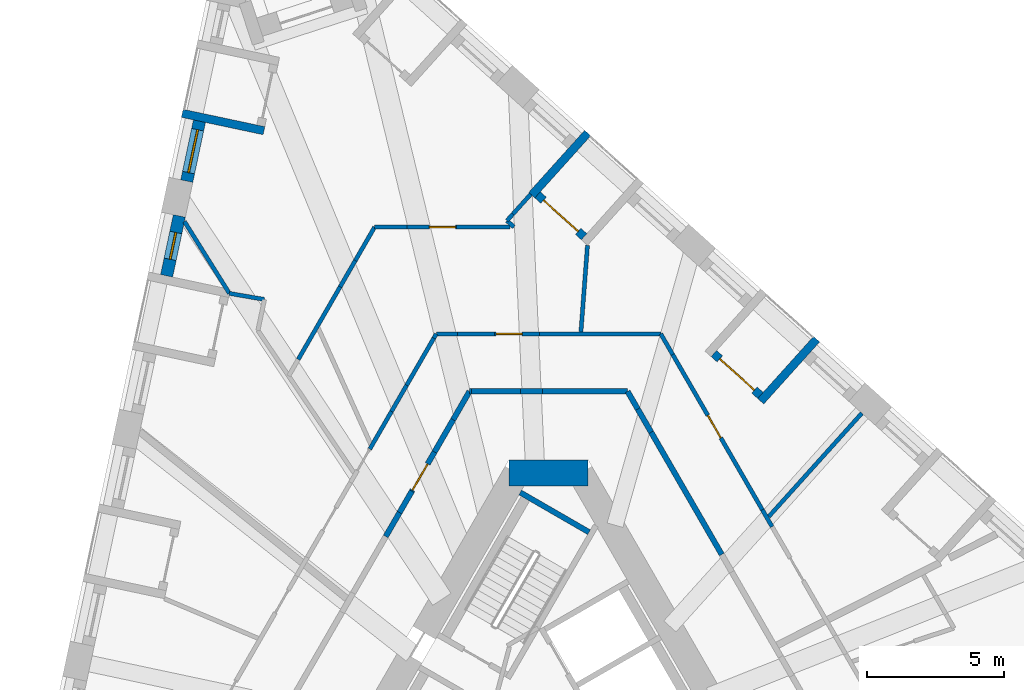
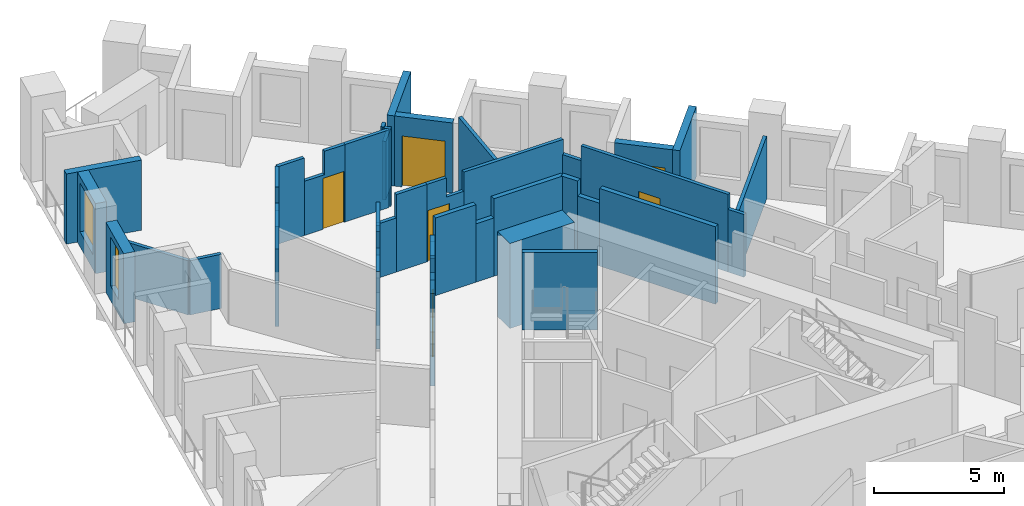
# One storey, part 8 of 13: 45 walls, 6 doors, 2 windows, 8 openings.
"""IFC4 building model written with IfcOpenShell, lengths in metres."""

from ifc_helpers import new_model, si_unit, direction, frame, frame_2d, origin, place, context, subcontext, project, spatial, polyline, rectangle, outline, extrude, material, layer, layer_set, type_object, element, fill, save


model = new_model("IFC4")

# Units and contexts
model_context = context("Model", 3, precision=1e-05, world=origin(), true_north=direction((0.0, 1.0)))
body_context = subcontext(model_context, "Body", "Model", "MODEL_VIEW")
ifc_project = project(units=[si_unit("LENGTHUNIT", "METRE"), si_unit("AREAUNIT", "SQUARE_METRE"), si_unit("VOLUMEUNIT", "CUBIC_METRE"), si_unit("PLANEANGLEUNIT", "RADIAN"), si_unit("MASSUNIT", "GRAM", prefix="KILO")], contexts=[model_context])

# Site, building, storey
site_placement = place(None, origin())
site = spatial("IfcSite", under=ifc_project, at=site_placement, CompositionType="ELEMENT")
building_placement = place(site_placement, origin())
building = spatial("IfcBuilding", under=site, at=building_placement, Name="Tramontana Tower", CompositionType="ELEMENT")
storey_placement = place(building_placement, frame((0.0, 0.0, 116.39990234375)))
storey = spatial("IfcBuildingStorey", under=building, at=storey_placement, Name="L26", CompositionType="ELEMENT", Elevation=116.39990234375)

# Walls
ifc_material_1 = material(Name="Concrete 70 MPa", Category="concrete")
ifc_layer_1 = layer(ifc_material_1, 0.949951171875)
ifc_layer_set_1 = layer_set([ifc_layer_1], Name="Core wall 950 70 MPa")
wall_type_1 = type_object("IfcWallType", Name="Core wall 950 70 MPa", PredefinedType="SHEAR", material=ifc_layer_set_1)
wall_1_placement = place(storey_placement, frame((1.443359375, 10.52490234375, 0.0), z_axis=(0.0, 0.0, 1.0), x_axis=(-1.0, 0.0, 0.0)))
element("IfcWall", 1, at=wall_1_placement, inside=storey, type_object=wall_type_1, Name="Core wall C0 L26", PredefinedType="SHEAR", context=body_context, shape_type="SweptSolid", body=[
    extrude(rectangle(XDim=2.88671875, YDim=0.949951171875, at=frame_2d((1.443359375, 0.0))), origin(), (0.0, 0.0, 1.0), 4.0),
])
ifc_material_2 = material(Name="Blockwork", Category="masonry")
ifc_layer_2 = layer(ifc_material_2, 0.199951171875)
ifc_layer_set_2 = layer_set([ifc_layer_2], Name="ENTRY WALL 200")
wall_type_2 = type_object("IfcWallType", Name="ENTRY WALL 200", PredefinedType="SOLIDWALL", material=ifc_layer_set_2)
wall_2_placement = place(storey_placement, frame((2.88671875, 13.5, 0.0), z_axis=(0.0, 0.0, 1.0), x_axis=(0.499987686533, -0.866032512851, 0.0)))
element("IfcWall", 2, at=wall_2_placement, inside=storey, type_object=wall_type_2, Name="Wall v22-ew0-0", PredefinedType="SOLIDWALL", context=body_context, shape_type="SweptSolid", body=[
    extrude(rectangle(XDim=0.74365234375, YDim=0.199951171875, at=frame_2d((0.371826171875, 0.0))), origin(), (0.0, 0.0, 1.0), 3.650146484375),
])
wall_3_placement = place(storey_placement, frame((3.258544921875, 12.85595703125, 0.0), z_axis=(0.0, 0.0, 1.0), x_axis=(0.500061185694, -0.865990075325, 0.0)))
element("IfcWall", 3, at=wall_3_placement, inside=storey, type_object=wall_type_2, Name="Wall v22-ew0-1", PredefinedType="SOLIDWALL", context=body_context, shape_type="SweptSolid", body=[
    extrude(rectangle(XDim=0.9775390625, YDim=0.199951171875, at=frame_2d((0.48876953125, 0.0))), origin(), (0.0, 0.0, 1.0), 2.9501953125),
])
wall_4_placement = place(storey_placement, frame((3.747314453125, 12.009521484375, 0.0), z_axis=(0.0, 0.0, 1.0), x_axis=(0.500001317485, -0.866024643133, 0.0)))
element("IfcWall", 4, at=wall_4_placement, inside=storey, type_object=wall_type_2, Name="Wall v22-ew0-2", PredefinedType="SOLIDWALL", context=body_context, shape_type="SweptSolid", body=[
    extrude(rectangle(XDim=5.1533203125, YDim=0.199951171875, at=frame_2d((2.57666015625, 0.0))), origin(), (0.0, 0.0, 1.0), 3.650146484375),
])
wall_5_placement = place(storey_placement, frame((-5.944091796875, 8.20458984375, 0.0), z_axis=(0.0, 0.0, 1.0), x_axis=(0.500051323872, 0.865995769906, 0.0)))
element("IfcWall", 5, at=wall_5_placement, inside=storey, type_object=wall_type_2, Name="Wall v22-ew4-7", PredefinedType="SOLIDWALL", context=body_context, shape_type="SweptSolid", body=[
    extrude(rectangle(XDim=1.0068359375, YDim=0.199951171875, at=frame_2d((0.50341796875, 0.0))), origin(), (0.0, 0.0, 1.0), 2.550048828125),
])
wall_6_placement = place(storey_placement, frame((-5.440673828125, 9.076416015625, 0.0), z_axis=(0.0, 0.0, 1.0), x_axis=(0.499902469156, 0.866081705922, 0.0)))
element("IfcWall", 6, at=wall_6_placement, inside=storey, type_object=wall_type_2, Name="Wall v22-ew4-8", PredefinedType="SOLIDWALL", context=body_context, shape_type="SweptSolid", body=[
    extrude(rectangle(XDim=0.900146484375, YDim=0.199951171875, at=frame_2d((0.4501953125, 0.0))), origin(), (0.0, 0.0, 1.0), 3.650146484375),
])

# Wall, opening, door
wall_7_placement = place(storey_placement, frame((-4.99072265625, 9.85595703125, 0.0), z_axis=(0.0, 0.0, 1.0), x_axis=(0.500088396166, 0.865974362219, 0.0)))
wall_7 = element("IfcWall", 7, at=wall_7_placement, inside=storey, type_object=wall_type_2, Name="Wall v22-ew4-9", PredefinedType="SOLIDWALL", context=body_context, shape_type="SweptSolid", body=[
    extrude(outline(polyline([(0.0, 0.0), (1.655517578125, 0.0), (1.655517578125, 2.550048828125), (0.519287109375, 2.550048828125), (0.519287109375, 3.650146484375), (0.0, 3.650146484375), (0.0, 0.0)])), frame((0.0, 0.10009765625, 0.0), z_axis=(0.0, -1.0, 0.0), x_axis=(1.0, 0.0, 0.0)), (0.0, 0.0, 1.0), 0.199951171875),
])
opening_1_placement = place(wall_7_placement, frame((0.050048828125, 0.0, 0.0)))
opening_1 = element("IfcOpeningElement", 8, at=opening_1_placement, cuts=wall_7, Name="Opening B2C-22", PredefinedType="OPENING", context=body_context, shape_type="SweptSolid", body=[
    extrude(rectangle(XDim=1.10009765625, YDim=2.39990234375, at=frame_2d((0.550048828125, 1.199951171875))), frame((0.0, 0.10986328125, 0.0), z_axis=(0.0, -1.0, 0.0), x_axis=(1.0, 0.0, 0.0)), (0.0, 0.0, 1.0), 0.219970703125),
])
ifc_material_3 = material(Name="Painted timber", Category="wood")
door_type_1 = type_object("IfcDoorType", Name="DOOR ENTRY 1100", OperationType="SINGLE_SWING_LEFT", PredefinedType="DOOR", material=ifc_material_3)
door_1_placement = place(opening_1_placement, origin())
door_1 = element("IfcDoor", 9, at=door_1_placement, inside=storey, type_object=door_type_1, Name="Door B2C-22", OperationType="SINGLE_SWING_RIGHT", OverallHeight=2.39990234375, OverallWidth=1.10009765625, PredefinedType="DOOR", context=body_context, shape_type="SweptSolid", body=[
    extrude(rectangle(XDim=1.10009765625, YDim=2.39990234375, at=frame_2d((0.550048828125, 1.199951171875))), frame((0.0, 0.02490234375, 0.0), z_axis=(0.0, -1.0, 0.0), x_axis=(1.0, 0.0, 0.0)), (0.0, 0.0, 1.0), 0.050048828125),
])
fill(opening_1, door_1)

# Walls
wall_8_placement = place(storey_placement, frame((-4.162841796875, 11.28955078125, 0.0), z_axis=(0.0, 0.0, 1.0), x_axis=(0.499903734186, 0.866080975745, 0.0)))
element("IfcWall", 10, at=wall_8_placement, inside=storey, type_object=wall_type_2, Name="Wall v22-ew4-10", PredefinedType="SOLIDWALL", context=body_context, shape_type="SweptSolid", body=[
    extrude(rectangle(XDim=1.360107421875, YDim=0.199951171875, at=frame_2d((0.68017578125, 0.0))), origin(), (0.0, 0.0, 1.0), 3.650146484375),
])
wall_9_placement = place(storey_placement, frame((-3.48291015625, 12.467529296875, 0.0), z_axis=(0.0, 0.0, 1.0), x_axis=(0.500059236744, 0.865991200733, 0.0)))
element("IfcWall", 11, at=wall_9_placement, inside=storey, type_object=wall_type_2, Name="Wall v22-ew4-11", PredefinedType="SOLIDWALL", context=body_context, shape_type="SweptSolid", body=[
    extrude(rectangle(XDim=1.192138671875, YDim=0.199951171875, at=frame_2d((0.59619140625, 0.0))), origin(), (0.0, 0.0, 1.0), 2.550048828125),
])
wall_10_placement = place(storey_placement, frame((-2.88671875, 13.5, 0.0), z_axis=(0.0, 0.0, 1.0), x_axis=(1.0, 0.0, 0.0)))
element("IfcWall", 12, at=wall_10_placement, inside=storey, type_object=wall_type_2, Name="Wall v22-ew5-0", PredefinedType="SOLIDWALL", context=body_context, shape_type="SweptSolid", body=[
    extrude(rectangle(XDim=0.079833984375, YDim=0.199951171875, at=frame_2d((0.0400390625, 0.0))), origin(), (0.0, 0.0, 1.0), 2.550048828125),
])
wall_11_placement = place(storey_placement, frame((-2.806884765625, 13.5, 0.0), z_axis=(0.0, 0.0, 1.0), x_axis=(1.0, 0.0, 0.0)))
element("IfcWall", 13, at=wall_11_placement, inside=storey, type_object=wall_type_2, Name="Wall v22-ew5-1", PredefinedType="SOLIDWALL", context=body_context, shape_type="SweptSolid", body=[
    extrude(rectangle(XDim=1.7880859375, YDim=0.199951171875, at=frame_2d((0.89404296875, 0.0))), origin(), (0.0, 0.0, 1.0), 3.650146484375),
])
wall_12_placement = place(storey_placement, frame((-1.018798828125, 13.5, 0.0), z_axis=(0.0, 0.0, 1.0), x_axis=(1.0, 0.0, 0.0)))
element("IfcWall", 14, at=wall_12_placement, inside=storey, type_object=wall_type_2, Name="Wall v22-ew5-2", PredefinedType="SOLIDWALL", context=body_context, shape_type="SweptSolid", body=[
    extrude(rectangle(XDim=0.80078125, YDim=0.199951171875, at=frame_2d((0.400390625, 0.0))), origin(), (0.0, 0.0, 1.0), 2.75),
])
wall_13_placement = place(storey_placement, frame((-0.218017578125, 13.5, 0.0), z_axis=(0.0, 0.0, 1.0), x_axis=(1.0, 0.0, 0.0)))
element("IfcWall", 15, at=wall_13_placement, inside=storey, type_object=wall_type_2, Name="Wall v22-ew5-3", PredefinedType="SOLIDWALL", context=body_context, shape_type="SweptSolid", body=[
    extrude(rectangle(XDim=3.104736328125, YDim=0.199951171875, at=frame_2d((1.55224609375, 0.0))), origin(), (0.0, 0.0, 1.0), 3.650146484375),
])

# Wall, opening, window
ifc_material_4 = material(Name="Precast concrete 60 MPa", Category="concrete")
ifc_layer_3 = layer(ifc_material_4, 0.449951171875)
ifc_layer_set_3 = layer_set([ifc_layer_3], Name="Precast concrete 60 MPa, 450 mm")
wall_type_3 = type_object("IfcWallType", Name="EW1 Stone-faced precast wall 450", PredefinedType="SOLIDWALL", material=ifc_layer_set_3)
wall_14_placement = place(storey_placement, frame((-12.7451171875, 23.36767578125, 0.0), z_axis=(0.0, 0.0, 1.0), x_axis=(-0.207941001029, -0.978141370197, 0.0)))
wall_14 = element("IfcWall", 16, at=wall_14_placement, inside=storey, type_object=wall_type_3, Name="External wall L26 face 0 bay 1", PredefinedType="SOLIDWALL", context=body_context, shape_type="SweptSolid", body=[
    extrude(rectangle(XDim=2.236572265625, YDim=0.449951171875, at=frame_2d((1.1181640625, 0.0))), origin(), (0.0, 0.0, 1.0), 3.300048828125),
])
opening_2_placement = place(wall_14_placement, frame((0.318359375, 0.0, 0.699951171875)))
opening_2 = element("IfcOpeningElement", 17, at=opening_2_placement, cuts=wall_14, Name="Opening M1", PredefinedType="OPENING", context=body_context, shape_type="SweptSolid", body=[
    extrude(rectangle(XDim=1.60009765625, YDim=2.300048828125, at=frame_2d((0.800048828125, 1.14990234375))), frame((0.0, 0.23486328125, 0.0), z_axis=(0.0, -1.0, 0.0), x_axis=(1.0, 0.0, 0.0)), (0.0, 0.0, 1.0), 0.469970703125),
])
ifc_material_5 = material(Name="Aluminum frame, double glazing unit", Category="aluminium")
window_type_1 = type_object("IfcWindowType", Name="M1 Window 1.6 x 2.3", PartitioningType="SINGLE_PANEL", PredefinedType="WINDOW", material=ifc_material_5)
window_1_placement = place(opening_2_placement, origin())
window_1 = element("IfcWindow", 18, at=window_1_placement, inside=storey, type_object=window_type_1, Name="Window M1 L26 face 0 module 3", OverallHeight=2.300048828125, OverallWidth=1.60009765625, PartitioningType="SINGLE_PANEL", PredefinedType="WINDOW", context=body_context, shape_type="SweptSolid", body=[
    extrude(rectangle(XDim=1.60009765625, YDim=2.300048828125, at=frame_2d((0.800048828125, 1.14990234375))), frame((0.0, 0.030029296875, 0.0), z_axis=(0.0, -1.0, 0.0), x_axis=(1.0, 0.0, 0.0)), (0.0, 0.0, 1.0), 0.06005859375),
])
fill(opening_2, window_1)

wall_15_placement = place(storey_placement, frame((-13.48046875, 19.908203125, 0.0), z_axis=(0.0, 0.0, 1.0), x_axis=(-0.207941001029, -0.978141370197, 0.0)))
wall_15 = element("IfcWall", 19, at=wall_15_placement, inside=storey, type_object=wall_type_3, Name="External wall L26 face 0 bay 2", PredefinedType="SOLIDWALL", context=body_context, shape_type="SweptSolid", body=[
    extrude(rectangle(XDim=2.236572265625, YDim=0.449951171875, at=frame_2d((1.1181640625, 0.0))), origin(), (0.0, 0.0, 1.0), 3.300048828125),
])
opening_3_placement = place(wall_15_placement, frame((0.618408203125, 0.0, 0.699951171875)))
opening_3 = element("IfcOpeningElement", 20, at=opening_3_placement, cuts=wall_15, Name="Opening N1", PredefinedType="OPENING", context=body_context, shape_type="SweptSolid", body=[
    extrude(rectangle(XDim=1.0, YDim=2.300048828125, at=frame_2d((0.5, 1.14990234375))), frame((0.0, 0.23486328125, 0.0), z_axis=(0.0, -1.0, 0.0), x_axis=(1.0, 0.0, 0.0)), (0.0, 0.0, 1.0), 0.469970703125),
])
ifc_material_6 = material(Name="Aluminum frame, double glazing unit", Category="aluminium")
window_type_2 = type_object("IfcWindowType", Name="N1 Window 1 x 2.3", PartitioningType="SINGLE_PANEL", PredefinedType="WINDOW", material=ifc_material_6)
window_2_placement = place(opening_3_placement, origin())
window_2 = element("IfcWindow", 21, at=window_2_placement, inside=storey, type_object=window_type_2, Name="Window N1 L26 face 0 module 4", OverallHeight=2.300048828125, OverallWidth=1.0, PartitioningType="SINGLE_PANEL", PredefinedType="WINDOW", context=body_context, shape_type="SweptSolid", body=[
    extrude(rectangle(XDim=1.0, YDim=2.300048828125, at=frame_2d((0.5, 1.14990234375))), frame((0.0, 0.030029296875, 0.0), z_axis=(0.0, -1.0, 0.0), x_axis=(1.0, 0.0, 0.0)), (0.0, 0.0, 1.0), 0.06005859375),
])
fill(opening_3, window_2)

# Wall
ifc_material_7 = material(Name="Precast concrete 60 MPa", Category="concrete")
ifc_layer_4 = layer(ifc_material_7, 0.300048828125)
ifc_layer_set_4 = layer_set([ifc_layer_4], Name="LW1 Stone-faced loggia wall 300")
wall_type_4 = type_object("IfcWallType", Name="LW1 Stone-faced loggia wall 300", PredefinedType="SOLIDWALL", material=ifc_layer_set_4)
wall_16_placement = place(storey_placement, frame((-13.3740234375, 23.65478515625, 0.0), z_axis=(0.0, 0.0, 1.0), x_axis=(0.978151322619, -0.207894179953, 0.0)))
element("IfcWall", 22, at=wall_16_placement, inside=storey, type_object=wall_type_4, Name="Loggia return L26 G2S0.1b", PredefinedType="SOLIDWALL", context=body_context, shape_type="SweptSolid", body=[
    extrude(rectangle(XDim=3.0498046875, YDim=0.300048828125, at=frame_2d((1.52490234375, 0.0))), origin(), (0.0, 0.0, 1.0), 3.300048828125),
])

# Wall, opening, door
wall_17_placement = place(storey_placement, frame((7.735595703125, 13.353759765625, 0.0), z_axis=(0.0, 0.0, 1.0), x_axis=(-0.743081759278, 0.669200641832, 0.0)))
wall_17 = element("IfcWall", 23, at=wall_17_placement, inside=storey, type_object=wall_type_4, Name="Loggia wall L26 G2S2.10", PredefinedType="SOLIDWALL", context=body_context, shape_type="SweptSolid", body=[
    extrude(rectangle(XDim=2.28662109375, YDim=0.300048828125, at=frame_2d((1.143310546875, 0.0))), origin(), (0.0, 0.0, 1.0), 3.300048828125),
])
opening_4_placement = place(wall_17_placement, frame((0.29345703125, 0.0, 0.0)))
opening_4 = element("IfcOpeningElement", 24, at=opening_4_placement, cuts=wall_17, Name="Opening BD-2S2-10", PredefinedType="OPENING", context=body_context, shape_type="SweptSolid", body=[
    extrude(rectangle(XDim=1.699951171875, YDim=2.39990234375, at=frame_2d((0.85009765625, 1.199951171875))), frame((0.0, 0.159912109375, 0.0), z_axis=(0.0, -1.0, 0.0), x_axis=(1.0, 0.0, 0.0)), (0.0, 0.0, 1.0), 0.320068359375),
])
ifc_material_8 = material(Name="Aluminum frame, double glazing unit", Category="aluminium")
door_type_2 = type_object("IfcDoorType", Name="BD1 Sliding door 1.7 x 2.4", OperationType="SLIDING_TO_LEFT", PredefinedType="DOOR", material=ifc_material_8)
door_2_placement = place(opening_4_placement, origin())
door_2 = element("IfcDoor", 25, at=door_2_placement, inside=storey, type_object=door_type_2, Name="Loggia door L26 G2S2.10", OperationType="SLIDING_TO_LEFT", OverallHeight=2.39990234375, OverallWidth=1.699951171875, PredefinedType="DOOR", context=body_context, shape_type="SweptSolid", body=[
    extrude(rectangle(XDim=1.699951171875, YDim=2.39990234375, at=frame_2d((0.85009765625, 1.199951171875))), frame((0.0, 0.02490234375, 0.0), z_axis=(0.0, -1.0, 0.0), x_axis=(1.0, 0.0, 0.0)), (0.0, 0.0, 1.0), 0.050048828125),
])
fill(opening_4, door_2)

# Wall
wall_18_placement = place(storey_placement, frame((9.78759765625, 15.40869140625, 0.0), z_axis=(0.0, 0.0, 1.0), x_axis=(-0.669115082961, -0.743158802514, 0.0)))
element("IfcWall", 26, at=wall_18_placement, inside=storey, type_object=wall_type_4, Name="Loggia return L26 G2S2.10a", PredefinedType="SOLIDWALL", context=body_context, shape_type="SweptSolid", body=[
    extrude(rectangle(XDim=3.050048828125, YDim=0.300048828125, at=frame_2d((1.52490234375, 0.0))), origin(), (0.0, 0.0, 1.0), 3.300048828125),
])

# Wall, opening, door
wall_19_placement = place(storey_placement, frame((1.2998046875, 19.148681640625, 0.0), z_axis=(0.0, 0.0, 1.0), x_axis=(-0.743182653308, 0.669088591909, 0.0)))
wall_19 = element("IfcWall", 27, at=wall_19_placement, inside=storey, type_object=wall_type_4, Name="Loggia wall L26 G2S2.13", PredefinedType="SOLIDWALL", context=body_context, shape_type="SweptSolid", body=[
    extrude(rectangle(XDim=2.28662109375, YDim=0.300048828125, at=frame_2d((1.143310546875, 0.0))), origin(), (0.0, 0.0, 1.0), 3.300048828125),
])
opening_5_placement = place(wall_19_placement, frame((0.29345703125, 0.0, 0.0)))
opening_5 = element("IfcOpeningElement", 28, at=opening_5_placement, cuts=wall_19, Name="Opening BD-2S2-13", PredefinedType="OPENING", context=body_context, shape_type="SweptSolid", body=[
    extrude(rectangle(XDim=1.699951171875, YDim=2.39990234375, at=frame_2d((0.85009765625, 1.199951171875))), frame((0.0, 0.159912109375, 0.0), z_axis=(0.0, -1.0, 0.0), x_axis=(1.0, 0.0, 0.0)), (0.0, 0.0, 1.0), 0.320068359375),
])
door_3_placement = place(opening_5_placement, origin())
door_3 = element("IfcDoor", 29, at=door_3_placement, inside=storey, type_object=door_type_2, Name="Loggia door L26 G2S2.13", OperationType="SLIDING_TO_LEFT", OverallHeight=2.39990234375, OverallWidth=1.699951171875, PredefinedType="DOOR", context=body_context, shape_type="SweptSolid", body=[
    extrude(rectangle(XDim=1.699951171875, YDim=2.39990234375, at=frame_2d((0.85009765625, 1.199951171875))), frame((0.0, 0.02490234375, 0.0), z_axis=(0.0, -1.0, 0.0), x_axis=(1.0, 0.0, 0.0)), (0.0, 0.0, 1.0), 0.050048828125),
])
fill(opening_5, door_3)

# Walls
wall_20_placement = place(storey_placement, frame((1.429443359375, 22.934326171875, 0.0), z_axis=(0.0, 0.0, 1.0), x_axis=(-0.669115082961, -0.743158802514, 0.0)))
element("IfcWall", 30, at=wall_20_placement, inside=storey, type_object=wall_type_4, Name="Loggia return L26 G2S2.13b", PredefinedType="SOLIDWALL", context=body_context, shape_type="SweptSolid", body=[
    extrude(rectangle(XDim=3.050048828125, YDim=0.300048828125, at=frame_2d((1.52490234375, 0.0))), origin(), (0.0, 0.0, 1.0), 3.300048828125),
])
ifc_material_9 = material(Name="Gypsum board partition")
ifc_layer_5 = layer(ifc_material_9, 0.14990234375)
ifc_layer_set_5 = layer_set([ifc_layer_5], Name="PARTITION 150")
wall_type_5 = type_object("IfcWallType", Name="PARTITION 150", PredefinedType="PARTITIONING", material=ifc_layer_set_5)
wall_21_placement = place(storey_placement, frame((-6.525146484375, 11.39794921875, 0.0), z_axis=(0.0, 0.0, 1.0), x_axis=(0.500015802937, 0.866016279763, 0.0)))
element("IfcWall", 31, at=wall_21_placement, inside=storey, type_object=wall_type_5, Name="Wall v22-pw04-7", PredefinedType="PARTITIONING", context=body_context, shape_type="SweptSolid", body=[
    extrude(rectangle(XDim=1.5849609375, YDim=0.14990234375, at=frame_2d((0.79248046875, 0.0))), origin(), (0.0, 0.0, 1.0), 3.650146484375),
])
wall_22_placement = place(storey_placement, frame((-5.732666015625, 12.7705078125, 0.0), z_axis=(0.0, 0.0, 1.0), x_axis=(0.499894629757, 0.866086230776, 0.0)))
element("IfcWall", 32, at=wall_22_placement, inside=storey, type_object=wall_type_5, Name="Wall v22-pw04-8", PredefinedType="PARTITIONING", context=body_context, shape_type="SweptSolid", body=[
    extrude(rectangle(XDim=1.104736328125, YDim=0.14990234375, at=frame_2d((0.55224609375, 0.0))), origin(), (0.0, 0.0, 1.0), 2.550048828125),
])
wall_23_placement = place(storey_placement, frame((-5.180419921875, 13.727294921875, 0.0), z_axis=(0.0, 0.0, 1.0), x_axis=(0.500024883228, 0.866011036969, 0.0)))
element("IfcWall", 33, at=wall_23_placement, inside=storey, type_object=wall_type_5, Name="Wall v22-pw04-9", PredefinedType="PARTITIONING", context=body_context, shape_type="SweptSolid", body=[
    extrude(rectangle(XDim=1.97998046875, YDim=0.14990234375, at=frame_2d((0.989990234375, 0.0))), origin(), (0.0, 0.0, 1.0), 3.650146484375),
])
wall_24_placement = place(storey_placement, frame((-4.1904296875, 15.44189453125, 0.0), z_axis=(0.0, 0.0, 1.0), x_axis=(0.50045593687, 0.865762008436, 0.0)))
element("IfcWall", 34, at=wall_24_placement, inside=storey, type_object=wall_type_5, Name="Wall v22-pw04-10", PredefinedType="PARTITIONING", context=body_context, shape_type="SweptSolid", body=[
    extrude(rectangle(XDim=0.182373046875, YDim=0.14990234375, at=frame_2d((0.09130859375, 0.0))), origin(), (0.0, 0.0, 1.0), 2.550048828125),
])
wall_25_placement = place(storey_placement, frame((-11.653564453125, 17.079833984375, 0.0), z_axis=(0.0, 0.0, 1.0), x_axis=(-0.530027307021, 0.847980573959, 0.0)))
element("IfcWall", 35, at=wall_25_placement, inside=storey, type_object=wall_type_5, Name="Wall v22-pw08-0", PredefinedType="PARTITIONING", context=body_context, shape_type="SweptSolid", body=[
    extrude(rectangle(XDim=3.094482421875, YDim=0.14990234375, at=frame_2d((1.54736328125, 0.0))), origin(), (0.0, 0.0, 1.0), 2.550048828125),
])
wall_26_placement = place(storey_placement, frame((-10.373291015625, 16.859130859375, 0.0), z_axis=(0.0, 0.0, 1.0), x_axis=(-0.985464455429, 0.169881744414, 0.0)))
element("IfcWall", 36, at=wall_26_placement, inside=storey, type_object=wall_type_5, Name="Wall v22-pw11-0", PredefinedType="PARTITIONING", context=body_context, shape_type="SweptSolid", body=[
    extrude(rectangle(XDim=1.299072265625, YDim=0.14990234375, at=frame_2d((0.6494140625, 0.0))), origin(), (0.0, 0.0, 1.0), 2.550048828125),
])
wall_27_placement = place(storey_placement, frame((-9.14013671875, 14.6689453125, 0.0), z_axis=(0.0, 0.0, 1.0), x_axis=(0.500037354383, 0.866003836147, 0.0)))
element("IfcWall", 37, at=wall_27_placement, inside=storey, type_object=wall_type_5, Name="Wall v22-pw13-1", PredefinedType="PARTITIONING", context=body_context, shape_type="SweptSolid", body=[
    extrude(rectangle(XDim=3.064697265625, YDim=0.14990234375, at=frame_2d((1.5322265625, 0.0))), origin(), (0.0, 0.0, 1.0), 3.650146484375),
])
wall_28_placement = place(storey_placement, frame((-7.607666015625, 17.322998046875, 0.0), z_axis=(0.0, 0.0, 1.0), x_axis=(0.499894629757, 0.866086230776, 0.0)))
element("IfcWall", 38, at=wall_28_placement, inside=storey, type_object=wall_type_5, Name="Wall v22-pw13-2", PredefinedType="PARTITIONING", context=body_context, shape_type="SweptSolid", body=[
    extrude(rectangle(XDim=1.104736328125, YDim=0.14990234375, at=frame_2d((0.55224609375, 0.0))), origin(), (0.0, 0.0, 1.0), 2.550048828125),
])
wall_29_placement = place(storey_placement, frame((-7.055419921875, 18.27978515625, 0.0), z_axis=(0.0, 0.0, 1.0), x_axis=(0.500052415518, 0.865995139556, 0.0)))
element("IfcWall", 39, at=wall_29_placement, inside=storey, type_object=wall_type_5, Name="Wall v22-pw13-3", PredefinedType="PARTITIONING", context=body_context, shape_type="SweptSolid", body=[
    extrude(rectangle(XDim=1.408935546875, YDim=0.14990234375, at=frame_2d((0.70458984375, 0.0))), origin(), (0.0, 0.0, 1.0), 3.650146484375),
])
wall_30_placement = place(storey_placement, frame((-6.350830078125, 19.5, 0.0), z_axis=(0.0, 0.0, 1.0), x_axis=(1.0, 0.0, 0.0)))
element("IfcWall", 40, at=wall_30_placement, inside=storey, type_object=wall_type_5, Name="Wall v22-pw22-0", PredefinedType="PARTITIONING", context=body_context, shape_type="SweptSolid", body=[
    extrude(rectangle(XDim=1.177490234375, YDim=0.14990234375, at=frame_2d((0.5888671875, 0.0))), origin(), (0.0, 0.0, 1.0), 3.650146484375),
])

# Wall, opening, door
wall_31_placement = place(storey_placement, frame((-5.17333984375, 19.5, 0.0), z_axis=(0.0, 0.0, 1.0), x_axis=(1.0, 0.0, 0.0)))
wall_31 = element("IfcWall", 41, at=wall_31_placement, inside=storey, type_object=wall_type_5, Name="Wall v22-pw22-1", PredefinedType="PARTITIONING", context=body_context, shape_type="SweptSolid", body=[
    extrude(outline(polyline([(0.0, 0.0), (1.82177734375, 0.0), (1.82177734375, 3.650146484375), (0.900390625, 3.650146484375), (0.900390625, 2.550048828125), (0.0, 2.550048828125), (0.0, 0.0)])), frame((0.0, 0.074951171875, 0.0), z_axis=(0.0, -1.0, 0.0), x_axis=(1.0, 0.0, 0.0)), (0.0, 0.0, 1.0), 0.14990234375),
])
opening_6_placement = place(wall_31_placement, frame((0.82177734375, 0.0, 0.0)))
opening_6 = element("IfcOpeningElement", 42, at=opening_6_placement, cuts=wall_31, Name="Opening B2C-21", PredefinedType="OPENING", context=body_context, shape_type="SweptSolid", body=[
    extrude(rectangle(XDim=0.949951171875, YDim=2.39990234375, at=frame_2d((0.47509765625, 1.199951171875))), frame((0.0, 0.0849609375, 0.0), z_axis=(0.0, -1.0, 0.0), x_axis=(1.0, 0.0, 0.0)), (0.0, 0.0, 1.0), 0.169921875),
])
ifc_material_10 = material(Name="Painted timber", Category="wood")
door_type_3 = type_object("IfcDoorType", Name="DOOR ROOM 950", OperationType="SINGLE_SWING_LEFT", PredefinedType="DOOR", material=ifc_material_10)
door_4_placement = place(opening_6_placement, origin())
door_4 = element("IfcDoor", 43, at=door_4_placement, inside=storey, type_object=door_type_3, Name="Door B2C-21", OperationType="SINGLE_SWING_LEFT", OverallHeight=2.39990234375, OverallWidth=0.949951171875, PredefinedType="DOOR", context=body_context, shape_type="SweptSolid", body=[
    extrude(rectangle(XDim=0.949951171875, YDim=2.39990234375, at=frame_2d((0.47509765625, 1.199951171875))), frame((0.0, 0.02490234375, 0.0), z_axis=(0.0, -1.0, 0.0), x_axis=(1.0, 0.0, 0.0)), (0.0, 0.0, 1.0), 0.050048828125),
])
fill(opening_6, door_4)

# Walls
wall_32_placement = place(storey_placement, frame((-3.3515625, 19.5, 0.0), z_axis=(0.0, 0.0, 1.0), x_axis=(1.0, 0.0, 0.0)))
element("IfcWall", 44, at=wall_32_placement, inside=storey, type_object=wall_type_5, Name="Wall v22-pw22-2", PredefinedType="PARTITIONING", context=body_context, shape_type="SweptSolid", body=[
    extrude(rectangle(XDim=1.948974609375, YDim=0.14990234375, at=frame_2d((0.974609375, 0.0))), origin(), (0.0, 0.0, 1.0), 3.650146484375),
])
wall_33_placement = place(storey_placement, frame((-4.09912109375, 15.60009765625, 0.0), z_axis=(0.0, 0.0, 1.0), x_axis=(1.0, 0.0, 0.0)))
element("IfcWall", 45, at=wall_33_placement, inside=storey, type_object=wall_type_5, Name="Wall v22-pw24-0", PredefinedType="PARTITIONING", context=body_context, shape_type="SweptSolid", body=[
    extrude(rectangle(XDim=0.770751953125, YDim=0.14990234375, at=frame_2d((0.38525390625, 0.0))), origin(), (0.0, 0.0, 1.0), 2.550048828125),
])
wall_34_placement = place(storey_placement, frame((-3.328369140625, 15.60009765625, 0.0), z_axis=(0.0, 0.0, 1.0), x_axis=(1.0, 0.0, 0.0)))
element("IfcWall", 46, at=wall_34_placement, inside=storey, type_object=wall_type_5, Name="Wall v22-pw24-1", PredefinedType="PARTITIONING", context=body_context, shape_type="SweptSolid", body=[
    extrude(rectangle(XDim=1.3642578125, YDim=0.14990234375, at=frame_2d((0.68212890625, 0.0))), origin(), (0.0, 0.0, 1.0), 3.650146484375),
])

# Wall, opening, door
wall_35_placement = place(storey_placement, frame((-1.964111328125, 15.60009765625, 0.0), z_axis=(0.0, 0.0, 1.0), x_axis=(1.0, 0.0, 0.0)))
wall_35 = element("IfcWall", 47, at=wall_35_placement, inside=storey, type_object=wall_type_5, Name="Wall v22-pw24-2", PredefinedType="PARTITIONING", context=body_context, shape_type="SweptSolid", body=[
    extrude(outline(polyline([(0.0, 0.0), (1.637451171875, 0.0), (1.63720703125, 2.75), (0.861572265625, 2.75), (0.861572265625, 3.650146484375), (0.0, 3.650146484375), (0.0, 0.0)])), frame((0.0, 0.074951171875, 0.0), z_axis=(0.0, -1.0, 0.0), x_axis=(1.0, 0.0, 0.0)), (0.0, 0.0, 1.0), 0.14990234375),
])
opening_7_placement = place(wall_35_placement, frame((0.050048828125, 0.0, 0.0)))
opening_7 = element("IfcOpeningElement", 48, at=opening_7_placement, cuts=wall_35, Name="Opening B2C-01", PredefinedType="OPENING", context=body_context, shape_type="SweptSolid", body=[
    extrude(rectangle(XDim=0.949951171875, YDim=2.39990234375, at=frame_2d((0.47509765625, 1.199951171875))), frame((0.0, 0.0849609375, 0.0), z_axis=(0.0, -1.0, 0.0), x_axis=(1.0, 0.0, 0.0)), (0.0, 0.0, 1.0), 0.169921875),
])
door_5_placement = place(opening_7_placement, origin())
door_5 = element("IfcDoor", 49, at=door_5_placement, inside=storey, type_object=door_type_3, Name="Door B2C-01", OperationType="SINGLE_SWING_LEFT", OverallHeight=2.39990234375, OverallWidth=0.949951171875, PredefinedType="DOOR", context=body_context, shape_type="SweptSolid", body=[
    extrude(rectangle(XDim=0.949951171875, YDim=2.39990234375, at=frame_2d((0.47509765625, 1.199951171875))), frame((0.0, 0.02490234375, 0.0), z_axis=(0.0, -1.0, 0.0), x_axis=(1.0, 0.0, 0.0)), (0.0, 0.0, 1.0), 0.050048828125),
])
fill(opening_7, door_5)

# Walls
wall_36_placement = place(storey_placement, frame((-0.32666015625, 15.60009765625, 0.0), z_axis=(0.0, 0.0, 1.0), x_axis=(1.0, 0.0, 0.0)))
element("IfcWall", 50, at=wall_36_placement, inside=storey, type_object=wall_type_5, Name="Wall v22-pw24-3", PredefinedType="PARTITIONING", context=body_context, shape_type="SweptSolid", body=[
    extrude(rectangle(XDim=4.42578125, YDim=0.14990234375, at=frame_2d((2.212890625, 0.0))), origin(), (0.0, 0.0, 1.0), 3.650146484375),
])
wall_37_placement = place(storey_placement, frame((-1.518310546875, 19.735107421875, 0.0), z_axis=(0.0, 0.0, 1.0), x_axis=(0.668964731622, 0.743294146247, 0.0)))
element("IfcWall", 51, at=wall_37_placement, inside=storey, type_object=wall_type_5, Name="Wall v22-pw26-0", PredefinedType="PARTITIONING", context=body_context, shape_type="SweptSolid", body=[
    extrude(rectangle(XDim=0.32177734375, YDim=0.14990234375, at=frame_2d((0.160888671875, 0.0))), origin(), (0.0, 0.0, 1.0), 3.650146484375),
])
wall_38_placement = place(storey_placement, frame((-1.302978515625, 19.974365234375, 0.0), z_axis=(0.0, 0.0, 1.0), x_axis=(0.669061275598, 0.743207245319, 0.0)))
element("IfcWall", 52, at=wall_38_placement, inside=storey, type_object=wall_type_5, Name="Wall v22-pw26-1", PredefinedType="PARTITIONING", context=body_context, shape_type="SweptSolid", body=[
    extrude(rectangle(XDim=0.97802734375, YDim=0.14990234375, at=frame_2d((0.489013671875, 0.0))), origin(), (0.0, 0.0, 1.0), 2.75),
])
wall_39_placement = place(storey_placement, frame((-1.26123046875, 19.50341796875, 0.0), z_axis=(0.0, 0.0, 1.0), x_axis=(-0.742837964983, 0.669471252392, 0.0)))
element("IfcWall", 53, at=wall_39_placement, inside=storey, type_object=wall_type_5, Name="Wall v22-pw27", PredefinedType="PARTITIONING", context=body_context, shape_type="SweptSolid", body=[
    extrude(rectangle(XDim=0.34619140625, YDim=0.14990234375, at=frame_2d((0.173095703125, 0.0))), origin(), (0.0, 0.0, 1.0), 3.650146484375),
])
wall_40_placement = place(storey_placement, frame((1.42236328125, 18.83642578125, 0.0), z_axis=(0.0, 0.0, 1.0), x_axis=(-0.075312569012, -0.997159975605, 0.0)))
element("IfcWall", 54, at=wall_40_placement, inside=storey, type_object=wall_type_5, Name="Wall v22-pw29", PredefinedType="PARTITIONING", context=body_context, shape_type="SweptSolid", body=[
    extrude(rectangle(XDim=3.17041015625, YDim=0.14990234375, at=frame_2d((1.585205078125, 0.0))), origin(), (0.0, 0.0, 1.0), 3.650146484375),
])
wall_41_placement = place(storey_placement, frame((4.09912109375, 15.599853515625, 0.0), z_axis=(0.0, 0.0, 1.0), x_axis=(0.500216765549, -0.86590021796, 0.0)))
element("IfcWall", 55, at=wall_41_placement, inside=storey, type_object=wall_type_5, Name="Wall v22-pw30-0", PredefinedType="PARTITIONING", context=body_context, shape_type="SweptSolid", body=[
    extrude(rectangle(XDim=0.869140625, YDim=0.14990234375, at=frame_2d((0.4345703125, 0.0))), origin(), (0.0, 0.0, 1.0), 2.9501953125),
])

# Wall, opening, door
wall_42_placement = place(storey_placement, frame((4.533935546875, 14.84716796875, 0.0), z_axis=(0.0, 0.0, 1.0), x_axis=(0.499992467015, -0.866029752912, 0.0)))
wall_42 = element("IfcWall", 56, at=wall_42_placement, inside=storey, type_object=wall_type_5, Name="Wall v22-pw30-1", PredefinedType="PARTITIONING", context=body_context, shape_type="SweptSolid", body=[
    extrude(rectangle(XDim=6.54833984375, YDim=0.14990234375, at=frame_2d((3.274169921875, 0.0))), origin(), (0.0, 0.0, 1.0), 3.650146484375),
])
opening_8_placement = place(wall_42_placement, frame((2.5634765625, 0.0, 0.0)))
opening_8 = element("IfcOpeningElement", 57, at=opening_8_placement, cuts=wall_42, Name="Opening B2C-03", PredefinedType="OPENING", context=body_context, shape_type="SweptSolid", body=[
    extrude(rectangle(XDim=0.949951171875, YDim=2.39990234375, at=frame_2d((0.47509765625, 1.199951171875))), frame((0.0, 0.0849609375, 0.0), z_axis=(0.0, -1.0, 0.0), x_axis=(1.0, 0.0, 0.0)), (0.0, 0.0, 1.0), 0.169921875),
])
door_6_placement = place(opening_8_placement, origin())
door_6 = element("IfcDoor", 58, at=door_6_placement, inside=storey, type_object=door_type_3, Name="Door B2C-03", OperationType="SINGLE_SWING_LEFT", OverallHeight=2.39990234375, OverallWidth=0.949951171875, PredefinedType="DOOR", context=body_context, shape_type="SweptSolid", body=[
    extrude(rectangle(XDim=0.949951171875, YDim=2.39990234375, at=frame_2d((0.47509765625, 1.199951171875))), frame((0.0, 0.02490234375, 0.0), z_axis=(0.0, -1.0, 0.0), x_axis=(1.0, 0.0, 0.0)), (0.0, 0.0, 1.0), 0.050048828125),
])
fill(opening_8, door_6)

# Walls
wall_43_placement = place(storey_placement, frame((7.80810546875, 9.176025390625, 0.0), z_axis=(0.0, 0.0, 1.0), x_axis=(0.499950805595, -0.866053804324, 0.0)))
element("IfcWall", 59, at=wall_43_placement, inside=storey, type_object=wall_type_5, Name="Wall v22-pw30-2", PredefinedType="PARTITIONING", context=body_context, shape_type="SweptSolid", body=[
    extrude(rectangle(XDim=0.70947265625, YDim=0.14990234375, at=frame_2d((0.354736328125, 0.0))), origin(), (0.0, 0.0, 1.0), 2.9501953125),
])
wall_44_placement = place(storey_placement, frame((11.442138671875, 12.707763671875, 0.0), z_axis=(0.0, 0.0, 1.0), x_axis=(-0.669134417253, -0.743141394115, 0.0)))
element("IfcWall", 60, at=wall_44_placement, inside=storey, type_object=wall_type_5, Name="Wall v22-pw34-0", PredefinedType="PARTITIONING", context=body_context, shape_type="SweptSolid", body=[
    extrude(rectangle(XDim=5.0869140625, YDim=0.14990234375, at=frame_2d((2.54345703125, 0.0))), origin(), (0.0, 0.0, 1.0), 2.9501953125),
])
ifc_material_11 = material(Name="Concrete 70 MPa", Category="concrete")
ifc_layer_6 = layer(ifc_material_11, 0.199951171875)
ifc_layer_set_6 = layer_set([ifc_layer_6], Name="Concrete 70 MPa, 200 mm")
wall_type_6 = type_object("IfcWallType", Name="RC STAIR AND SHAFT WALL 200", PredefinedType="SOLIDWALL", material=ifc_layer_set_6)
wall_45_placement = place(storey_placement, frame((1.478515625, 8.36083984375, 0.0), z_axis=(0.0, 0.0, 1.0), x_axis=(-0.866032775405, 0.499987231761, 0.0)))
element("IfcWall", 61, at=wall_45_placement, inside=storey, type_object=wall_type_6, Name="Wall st1-far", PredefinedType="SOLIDWALL", context=body_context, shape_type="SweptSolid", body=[
    extrude(rectangle(XDim=2.89990234375, YDim=0.199951171875, at=frame_2d((1.449951171875, 0.0))), origin(), (0.0, 0.0, 1.0), 3.650146484375),
])

save(model, "model.ifc")
